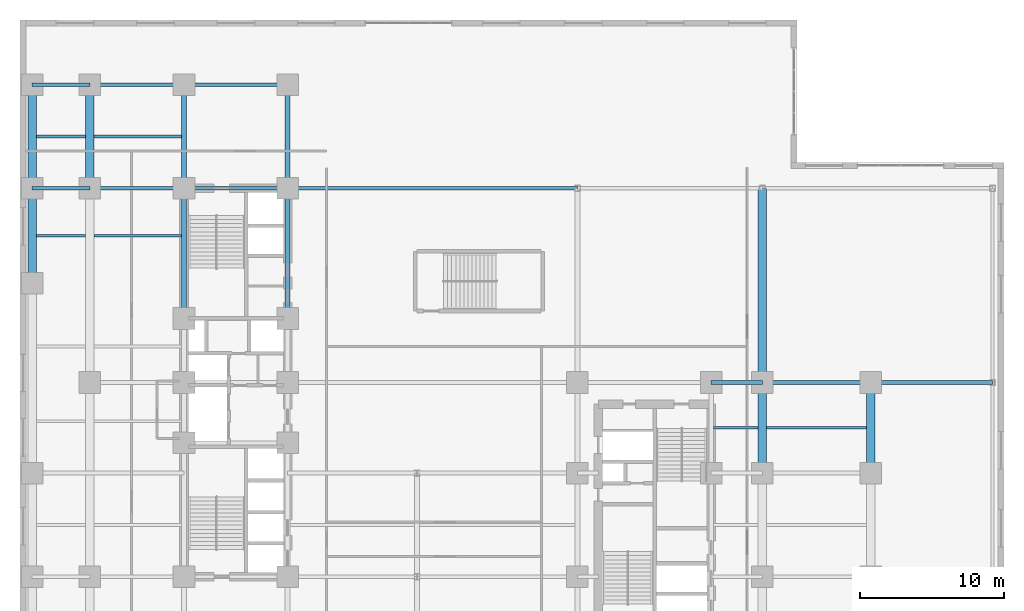
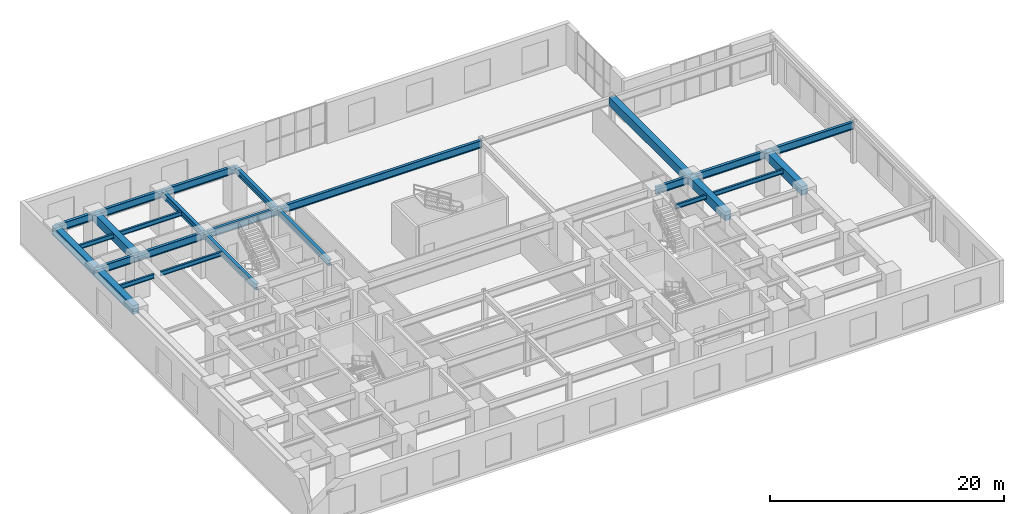
# One storey, part 4 of 15: 26 beams.
"""IFC4 building model written with IfcOpenShell, lengths in metres."""

from ifc_helpers import new_model, entity, si_unit, converted_unit, direction, frame, origin_with_axes, origin_2d_with_axis, place, context, subcontext, project, spatial, rectangle, i_section, extrude, material, material_profile, profile_set, type_object, element, save


model = new_model("IFC4")

# Units and contexts
model_context = context("Model", 3, precision=1e-05, world=origin_with_axes(), true_north=direction((0.0, 1.0)))
body_context = subcontext(model_context, "Body", "Model", "MODEL_VIEW")
ifc_project = project(units=[si_unit("LENGTHUNIT", "METRE"), si_unit("AREAUNIT", "SQUARE_METRE"), si_unit("VOLUMEUNIT", "CUBIC_METRE"), converted_unit("PLANEANGLEUNIT", "DEGREE", entity("IfcPlaneAngleMeasure", 0.017453292519943295), si_unit("PLANEANGLEUNIT", "RADIAN"), dimensions=[0, 0, 0, 0, 0, 0, 0]), si_unit("MASSUNIT", "GRAM", prefix="KILO"), si_unit("THERMODYNAMICTEMPERATUREUNIT", "KELVIN")], contexts=[model_context])

# Site, building, storey
site_placement = place(None, origin_with_axes())
site = spatial("IfcSite", under=ifc_project, at=site_placement, CompositionType="ELEMENT")
building_placement = place(site_placement, origin_with_axes())
building = spatial("IfcBuilding", under=site, at=building_placement, Name="Varnlund Millrace Tower", CompositionType="ELEMENT")
storey_placement = place(building_placement, frame((0.0, 0.0, 10.8), z_axis=(0.0, 0.0, 1.0), x_axis=(1.0, 0.0, 0.0)))
storey = spatial("IfcBuildingStorey", under=building, at=storey_placement, Name="L02", CompositionType="ELEMENT", Elevation=10.8)

# Beams
ifc_material_1 = material(Name="Steel ASTM A992 Grade 50", Category="steel")
ifc_material_profile_1 = material_profile(ifc_material_1, i_section(OverallWidth=0.328, OverallDepth=0.628, WebThickness=0.0165, FlangeThickness=0.0277, FilletRadius=0.018, at=origin_2d_with_axis()), Name="Steel ASTM A992 Grade 50")
ifc_profile_set_1 = profile_set([ifc_material_profile_1], Name="Steel ASTM A992 Grade 50")
beam_type_1 = type_object("IfcBeamType", Name="Type-Girder-W24X146", PredefinedType="USERDEFINED", material=ifc_profile_set_1)
beam_1_placement = place(storey_placement, frame((11.4, 28.75, 3.946), z_axis=(0.0, 1.0, 0.0), x_axis=(-1.0, 0.0, 0.0)))
element("IfcBeam", 1, at=beam_1_placement, inside=storey, type_object=beam_type_1, Name="Type-Girder-W24X146", ObjectType="GIRDER", PredefinedType="USERDEFINED", context=body_context, shape_type="SweptSolid", body=[
    extrude(i_section(OverallWidth=0.328, OverallDepth=0.628, WebThickness=0.0165, FlangeThickness=0.0277, FilletRadius=0.018, at=origin_2d_with_axis()), origin_with_axes(), (0.0, 0.0, 1.0), 9.05),
])
beam_2_placement = place(storey_placement, frame((11.4, 37.8, 3.946), z_axis=(0.0, 1.0, 0.0), x_axis=(-1.0, 0.0, 0.0)))
element("IfcBeam", 2, at=beam_2_placement, inside=storey, type_object=beam_type_1, Name="Type-Girder-W24X146", ObjectType="GIRDER", PredefinedType="USERDEFINED", context=body_context, shape_type="SweptSolid", body=[
    extrude(i_section(OverallWidth=0.328, OverallDepth=0.628, WebThickness=0.0165, FlangeThickness=0.0277, FilletRadius=0.018, at=origin_2d_with_axis()), origin_with_axes(), (0.0, 0.0, 1.0), 7.2),
])
beam_3_placement = place(storey_placement, frame((18.6, 28.75, 3.946), z_axis=(0.0, 1.0, 0.0), x_axis=(-1.0, 0.0, 0.0)))
element("IfcBeam", 3, at=beam_3_placement, inside=storey, type_object=beam_type_1, Name="Type-Girder-W24X146", ObjectType="GIRDER", PredefinedType="USERDEFINED", context=body_context, shape_type="SweptSolid", body=[
    extrude(i_section(OverallWidth=0.328, OverallDepth=0.628, WebThickness=0.0165, FlangeThickness=0.0277, FilletRadius=0.018, at=origin_2d_with_axis()), origin_with_axes(), (0.0, 0.0, 1.0), 9.05),
])
beam_4_placement = place(storey_placement, frame((18.6, 37.8, 3.946), z_axis=(0.0, 1.0, 0.0), x_axis=(-1.0, 0.0, 0.0)))
element("IfcBeam", 4, at=beam_4_placement, inside=storey, type_object=beam_type_1, Name="Type-Girder-W24X146", ObjectType="GIRDER", PredefinedType="USERDEFINED", context=body_context, shape_type="SweptSolid", body=[
    extrude(i_section(OverallWidth=0.328, OverallDepth=0.628, WebThickness=0.0165, FlangeThickness=0.0277, FilletRadius=0.018, at=origin_2d_with_axis()), origin_with_axes(), (0.0, 0.0, 1.0), 7.2),
])
ifc_material_profile_2 = material_profile(ifc_material_1, i_section(OverallWidth=0.266, OverallDepth=0.779, WebThickness=0.0165, FlangeThickness=0.03, FilletRadius=0.02, at=origin_2d_with_axis()), Name="Steel ASTM A992 Grade 50")
ifc_profile_set_2 = profile_set([ifc_material_profile_2], Name="Steel ASTM A992 Grade 50")
beam_type_2 = type_object("IfcBeamType", Name="Type-Girder-W30X148", PredefinedType="USERDEFINED", material=ifc_profile_set_2)
beam_5_placement = place(storey_placement, frame((48.05, 24.3, 3.8705), z_axis=(1.0, 0.0, 0.0), x_axis=(0.0, 1.0, 0.0)))
element("IfcBeam", 5, at=beam_5_placement, inside=storey, type_object=beam_type_2, Name="Type-Girder-W30X148", ObjectType="GIRDER", PredefinedType="USERDEFINED", context=body_context, shape_type="SweptSolid", body=[
    extrude(i_section(OverallWidth=0.266, OverallDepth=0.779, WebThickness=0.0165, FlangeThickness=0.03, FilletRadius=0.02, at=origin_2d_with_axis()), origin_with_axes(), (0.0, 0.0, 1.0), 3.55),
])
beam_6_placement = place(storey_placement, frame((51.6, 24.3, 3.8705), z_axis=(1.0, 0.0, 0.0), x_axis=(0.0, 1.0, 0.0)))
element("IfcBeam", 6, at=beam_6_placement, inside=storey, type_object=beam_type_2, Name="Type-Girder-W30X148", ObjectType="GIRDER", PredefinedType="USERDEFINED", context=body_context, shape_type="SweptSolid", body=[
    extrude(i_section(OverallWidth=0.266, OverallDepth=0.779, WebThickness=0.0165, FlangeThickness=0.03, FilletRadius=0.02, at=origin_2d_with_axis()), origin_with_axes(), (0.0, 0.0, 1.0), 7.55),
])
beam_7_placement = place(storey_placement, frame((59.15, 24.3, 3.8705), z_axis=(1.0, 0.0, 0.0), x_axis=(0.0, 1.0, 0.0)))
element("IfcBeam", 7, at=beam_7_placement, inside=storey, type_object=beam_type_2, Name="Type-Girder-W30X148", ObjectType="GIRDER", PredefinedType="USERDEFINED", context=body_context, shape_type="SweptSolid", body=[
    extrude(i_section(OverallWidth=0.266, OverallDepth=0.779, WebThickness=0.0165, FlangeThickness=0.03, FilletRadius=0.02, at=origin_2d_with_axis()), origin_with_axes(), (0.0, 0.0, 1.0), 8.45),
])
beam_8_placement = place(storey_placement, frame((0.85, 37.8, 3.8705), z_axis=(1.0, 0.0, 0.0), x_axis=(0.0, 1.0, 0.0)))
element("IfcBeam", 8, at=beam_8_placement, inside=storey, type_object=beam_type_2, Name="Type-Girder-W30X148", ObjectType="GIRDER", PredefinedType="USERDEFINED", context=body_context, shape_type="SweptSolid", body=[
    extrude(i_section(OverallWidth=0.266, OverallDepth=0.779, WebThickness=0.0165, FlangeThickness=0.03, FilletRadius=0.02, at=origin_2d_with_axis()), origin_with_axes(), (0.0, 0.0, 1.0), 4.0),
])
beam_9_placement = place(storey_placement, frame((4.85, 37.8, 3.8705), z_axis=(1.0, 0.0, 0.0), x_axis=(0.0, 1.0, 0.0)))
element("IfcBeam", 9, at=beam_9_placement, inside=storey, type_object=beam_type_2, Name="Type-Girder-W30X148", ObjectType="GIRDER", PredefinedType="USERDEFINED", context=body_context, shape_type="SweptSolid", body=[
    extrude(i_section(OverallWidth=0.266, OverallDepth=0.779, WebThickness=0.0165, FlangeThickness=0.03, FilletRadius=0.02, at=origin_2d_with_axis()), origin_with_axes(), (0.0, 0.0, 1.0), 6.55),
])
beam_10_placement = place(storey_placement, frame((11.4, 37.8, 3.8705), z_axis=(1.0, 0.0, 0.0), x_axis=(0.0, 1.0, 0.0)))
element("IfcBeam", 10, at=beam_10_placement, inside=storey, type_object=beam_type_2, Name="Type-Girder-W30X148", ObjectType="GIRDER", PredefinedType="USERDEFINED", context=body_context, shape_type="SweptSolid", body=[
    extrude(i_section(OverallWidth=0.266, OverallDepth=0.779, WebThickness=0.0165, FlangeThickness=0.03, FilletRadius=0.02, at=origin_2d_with_axis()), origin_with_axes(), (0.0, 0.0, 1.0), 7.2),
])
beam_11_placement = place(storey_placement, frame((18.6, 37.8, 3.8705), z_axis=(1.0, 0.0, 0.0), x_axis=(0.0, 1.0, 0.0)))
element("IfcBeam", 11, at=beam_11_placement, inside=storey, type_object=beam_type_2, Name="Type-Girder-W30X148", ObjectType="GIRDER", PredefinedType="USERDEFINED", context=body_context, shape_type="SweptSolid", body=[
    extrude(i_section(OverallWidth=0.266, OverallDepth=0.779, WebThickness=0.0165, FlangeThickness=0.03, FilletRadius=0.02, at=origin_2d_with_axis()), origin_with_axes(), (0.0, 0.0, 1.0), 20.15),
])
beam_12_placement = place(storey_placement, frame((0.85, 45.0, 3.8705), z_axis=(1.0, 0.0, 0.0), x_axis=(0.0, 1.0, 0.0)))
element("IfcBeam", 12, at=beam_12_placement, inside=storey, type_object=beam_type_2, Name="Type-Girder-W30X148", ObjectType="GIRDER", PredefinedType="USERDEFINED", context=body_context, shape_type="SweptSolid", body=[
    extrude(i_section(OverallWidth=0.266, OverallDepth=0.779, WebThickness=0.0165, FlangeThickness=0.03, FilletRadius=0.02, at=origin_2d_with_axis()), origin_with_axes(), (0.0, 0.0, 1.0), 4.0),
])
beam_13_placement = place(storey_placement, frame((4.85, 45.0, 3.8705), z_axis=(1.0, 0.0, 0.0), x_axis=(0.0, 1.0, 0.0)))
element("IfcBeam", 13, at=beam_13_placement, inside=storey, type_object=beam_type_2, Name="Type-Girder-W30X148", ObjectType="GIRDER", PredefinedType="USERDEFINED", context=body_context, shape_type="SweptSolid", body=[
    extrude(i_section(OverallWidth=0.266, OverallDepth=0.779, WebThickness=0.0165, FlangeThickness=0.03, FilletRadius=0.02, at=origin_2d_with_axis()), origin_with_axes(), (0.0, 0.0, 1.0), 6.55),
])
beam_14_placement = place(storey_placement, frame((11.4, 45.0, 3.8705), z_axis=(1.0, 0.0, 0.0), x_axis=(0.0, 1.0, 0.0)))
element("IfcBeam", 14, at=beam_14_placement, inside=storey, type_object=beam_type_2, Name="Type-Girder-W30X148", ObjectType="GIRDER", PredefinedType="USERDEFINED", context=body_context, shape_type="SweptSolid", body=[
    extrude(i_section(OverallWidth=0.266, OverallDepth=0.779, WebThickness=0.0165, FlangeThickness=0.03, FilletRadius=0.02, at=origin_2d_with_axis()), origin_with_axes(), (0.0, 0.0, 1.0), 7.2),
])
ifc_material_profile_3 = material_profile(ifc_material_1, i_section(OverallWidth=0.191, OverallDepth=0.457, WebThickness=0.009, FlangeThickness=0.0145, FilletRadius=0.013, at=origin_2d_with_axis()), Name="Steel ASTM A992 Grade 50")
ifc_profile_set_3 = profile_set([ifc_material_profile_3], Name="Steel ASTM A992 Grade 50")
beam_type_3 = type_object("IfcBeamType", Name="Type-Joist-W18X50", PredefinedType="JOIST", material=ifc_profile_set_3)
for number, where, z_axis, x_axis, name in (
    (15, (1.15, 34.5, 4.0315), (1.0, 0.0, 0.0), (0.0, 1.0, 0.0), "Type-Joist-W18X50"),
    (16, (1.15, 41.4, 4.0315), (1.0, 0.0, 0.0), (0.0, 1.0, 0.0), "Type-Joist-W18X50"),
):
    element("IfcBeam", number, at=place(storey_placement, frame(where, z_axis=z_axis, x_axis=x_axis)), inside=storey, type_object=beam_type_3, Name=name, PredefinedType="JOIST", context=body_context, shape_type="SweptSolid", body=[
        extrude(i_section(OverallWidth=0.191, OverallDepth=0.457, WebThickness=0.009, FlangeThickness=0.0145, FilletRadius=0.013, at=origin_2d_with_axis()), origin_with_axes(), (0.0, 0.0, 1.0), 3.4),
    ])
for number, where, z_axis, x_axis, name in (
    (17, (5.15, 34.5, 4.0315), (1.0, 0.0, 0.0), (0.0, 1.0, 0.0), "Type-Joist-W18X50"),
    (18, (5.15, 41.4, 4.0315), (1.0, 0.0, 0.0), (0.0, 1.0, 0.0), "Type-Joist-W18X50"),
):
    element("IfcBeam", number, at=place(storey_placement, frame(where, z_axis=z_axis, x_axis=x_axis)), inside=storey, type_object=beam_type_3, Name=name, PredefinedType="JOIST", context=body_context, shape_type="SweptSolid", body=[
        extrude(i_section(OverallWidth=0.191, OverallDepth=0.457, WebThickness=0.009, FlangeThickness=0.0145, FilletRadius=0.013, at=origin_2d_with_axis()), origin_with_axes(), (0.0, 0.0, 1.0), 6.086),
    ])
beam_15_placement = place(storey_placement, frame((48.214, 21.15, 4.0315), z_axis=(1.0, 0.0, 0.0), x_axis=(0.0, 1.0, 0.0)))
element("IfcBeam", 19, at=beam_15_placement, inside=storey, type_object=beam_type_3, Name="Type-Joist-W18X50", PredefinedType="JOIST", context=body_context, shape_type="SweptSolid", body=[
    extrude(i_section(OverallWidth=0.191, OverallDepth=0.457, WebThickness=0.009, FlangeThickness=0.0145, FilletRadius=0.013, at=origin_2d_with_axis()), origin_with_axes(), (0.0, 0.0, 1.0), 3.086),
])
beam_16_placement = place(storey_placement, frame((51.9, 21.15, 4.0315), z_axis=(1.0, 0.0, 0.0), x_axis=(0.0, 1.0, 0.0)))
element("IfcBeam", 20, at=beam_16_placement, inside=storey, type_object=beam_type_3, Name="Type-Joist-W18X50", PredefinedType="JOIST", context=body_context, shape_type="SweptSolid", body=[
    extrude(i_section(OverallWidth=0.191, OverallDepth=0.457, WebThickness=0.009, FlangeThickness=0.0145, FilletRadius=0.013, at=origin_2d_with_axis()), origin_with_axes(), (0.0, 0.0, 1.0), 6.95),
])
ifc_material_2 = material(Name="Concrete C70/85", Category="concrete")
ifc_material_profile_4 = material_profile(ifc_material_2, rectangle(XDim=0.6, YDim=0.9, at=origin_2d_with_axis()), Name="Concrete C70/85")
ifc_profile_set_4 = profile_set([ifc_material_profile_4], Name="Concrete C70/85")
beam_type_4 = type_object("IfcBeamType", Name="Type-Spandrel-RC600X900", PredefinedType="SPANDREL", material=ifc_profile_set_4)
beam_17_placement = place(storey_placement, frame((0.85, 31.2, 3.81), z_axis=(0.0, 1.0, 0.0), x_axis=(-1.0, 0.0, 0.0)))
element("IfcBeam", 21, at=beam_17_placement, inside=storey, type_object=beam_type_4, Name="Type-Spandrel-RC600X900", PredefinedType="SPANDREL", context=body_context, shape_type="SweptSolid", body=[
    extrude(rectangle(XDim=0.6, YDim=0.9, at=origin_2d_with_axis()), origin_with_axes(), (0.0, 0.0, 1.0), 6.6),
])
for number, where, z_axis, x_axis, name in (
    (22, (0.85, 37.8, 3.81), (0.0, 1.0, 0.0), (-1.0, 0.0, 0.0), "Type-Spandrel-RC600X900"),
    (23, (4.85, 37.8, 3.81), (0.0, 1.0, 0.0), (-1.0, 0.0, 0.0), "Type-Spandrel-RC600X900"),
):
    element("IfcBeam", number, at=place(storey_placement, frame(where, z_axis=z_axis, x_axis=x_axis)), inside=storey, type_object=beam_type_4, Name=name, PredefinedType="SPANDREL", context=body_context, shape_type="SweptSolid", body=[
        extrude(rectangle(XDim=0.6, YDim=0.9, at=origin_2d_with_axis()), origin_with_axes(), (0.0, 0.0, 1.0), 7.2),
    ])
beam_18_placement = place(storey_placement, frame((51.6, 18.0, 3.81), z_axis=(0.0, 1.0, 0.0), x_axis=(-1.0, 0.0, 0.0)))
element("IfcBeam", 24, at=beam_18_placement, inside=storey, type_object=beam_type_4, Name="Type-Spandrel-RC600X900", PredefinedType="SPANDREL", context=body_context, shape_type="SweptSolid", body=[
    extrude(rectangle(XDim=0.6, YDim=0.9, at=origin_2d_with_axis()), origin_with_axes(), (0.0, 0.0, 1.0), 6.3),
])
beam_19_placement = place(storey_placement, frame((51.6, 24.3, 3.81), z_axis=(0.0, 1.0, 0.0), x_axis=(-1.0, 0.0, 0.0)))
element("IfcBeam", 25, at=beam_19_placement, inside=storey, type_object=beam_type_4, Name="Type-Spandrel-RC600X900", PredefinedType="SPANDREL", context=body_context, shape_type="SweptSolid", body=[
    extrude(rectangle(XDim=0.6, YDim=0.9, at=origin_2d_with_axis()), origin_with_axes(), (0.0, 0.0, 1.0), 13.5),
])
beam_20_placement = place(storey_placement, frame((59.15, 18.0, 3.81), z_axis=(0.0, 1.0, 0.0), x_axis=(-1.0, 0.0, 0.0)))
element("IfcBeam", 26, at=beam_20_placement, inside=storey, type_object=beam_type_4, Name="Type-Spandrel-RC600X900", PredefinedType="SPANDREL", context=body_context, shape_type="SweptSolid", body=[
    extrude(rectangle(XDim=0.6, YDim=0.9, at=origin_2d_with_axis()), origin_with_axes(), (0.0, 0.0, 1.0), 6.3),
])

save(model, "model.ifc")
